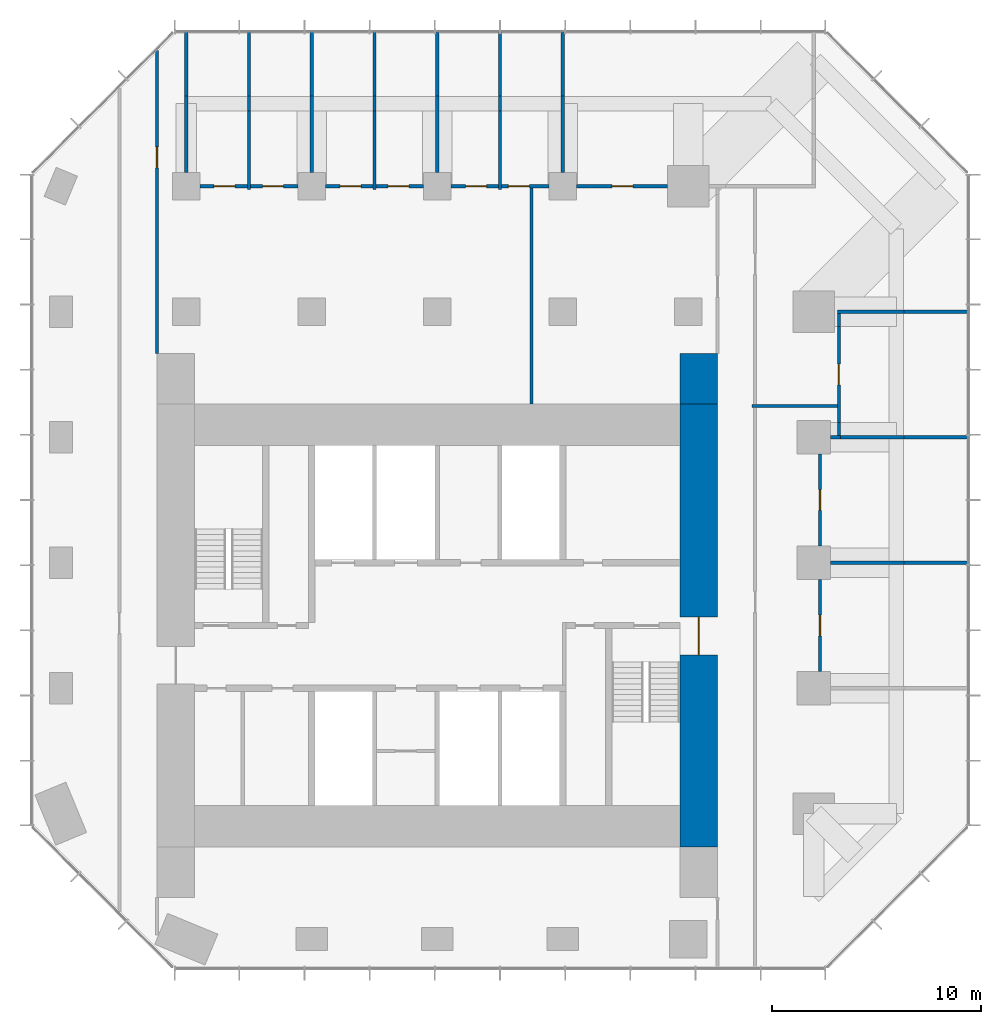
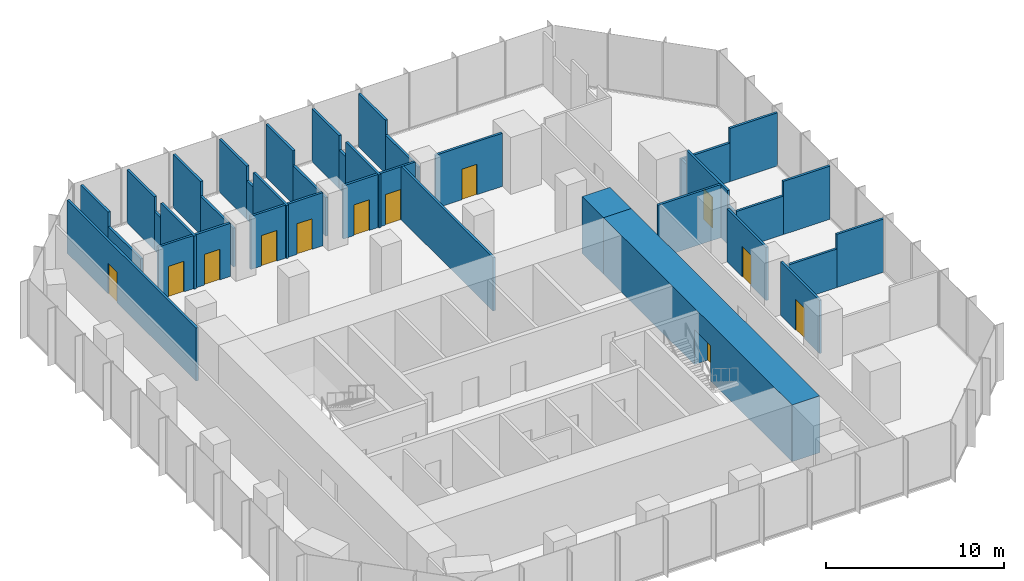
# One storey, part 9 of 11: 41 walls, 12 doors, 12 openings.
"""IFC4 building model written with IfcOpenShell, lengths in metres."""

from ifc_helpers import new_model, si_unit, direction, frame, frame_2d, origin, place, context, subcontext, project, spatial, rectangle, extrude, material, layer, layer_set, type_object, element, fill, save


model = new_model("IFC4")

# Units and contexts
model_context = context("Model", 3, precision=1e-05, world=origin(), true_north=direction((0.0, 1.0)))
body_context = subcontext(model_context, "Body", "Model", "MODEL_VIEW")
ifc_project = project(units=[si_unit("LENGTHUNIT", "METRE"), si_unit("AREAUNIT", "SQUARE_METRE"), si_unit("VOLUMEUNIT", "CUBIC_METRE"), si_unit("PLANEANGLEUNIT", "RADIAN"), si_unit("MASSUNIT", "GRAM", prefix="KILO")], contexts=[model_context])

# Site, building, storey
site_placement = place(None, origin())
site = spatial("IfcSite", under=ifc_project, at=site_placement, CompositionType="ELEMENT")
building_placement = place(site_placement, origin())
building = spatial("IfcBuilding", under=site, at=building_placement, Name="Highveld Stack Headquarters", CompositionType="ELEMENT")
storey_placement = place(building_placement, frame((0.0, 0.0, 173.300048828125)))
storey = spatial("IfcBuildingStorey", under=building, at=storey_placement, Name="L42", CompositionType="ELEMENT", Elevation=173.300048828125)

# Wall, opening, door
ifc_material_1 = material(Name="Concrete C60/75", Category="concrete")
ifc_layer_1 = layer(ifc_material_1, 1.800048828125)
ifc_layer_set_1 = layer_set([ifc_layer_1], Name="Concrete C60/75")
wall_type_1 = type_object("IfcWallType", Name="CORE WALL 1800 C60/75", PredefinedType="SHEAR", material=ifc_layer_set_1)
wall_1_placement = place(storey_placement, frame((18.5, -7.60009765625, 0.0), z_axis=(0.0, 0.0, 1.0), x_axis=(0.0, 1.0, 0.0)))
wall_1 = element("IfcWall", 1, at=wall_1_placement, inside=storey, type_object=wall_type_1, Name="Core wall E L42", PredefinedType="SHEAR", context=body_context, shape_type="SweptSolid", body=[
    extrude(rectangle(XDim=21.2001953125, YDim=1.800048828125, at=frame_2d((10.60009765625, 0.0))), origin(), (0.0, 0.0, 1.0), 3.89990234375),
])
opening_1_placement = place(wall_1_placement, frame((9.199951171875, 0.0, 0.0)))
opening_1 = element("IfcOpeningElement", 2, at=opening_1_placement, cuts=wall_1, Name="Opening L42-02", PredefinedType="OPENING", context=body_context, shape_type="SweptSolid", body=[
    extrude(rectangle(XDim=1.800048828125, YDim=2.39990234375, at=frame_2d((0.89990234375, 1.199951171875))), frame((0.0, 0.909912109375, 0.0), z_axis=(0.0, -1.0, 0.0), x_axis=(1.0, 0.0, 0.0)), (0.0, 0.0, 1.0), 1.820068359375),
])
ifc_material_2 = material(Name="Steel fire door", Category="steel")
door_type_1 = type_object("IfcDoorType", Name="LOBBY FIRE DOOR D4 1800x2400", OperationType="DOUBLE_DOOR_SINGLE_SWING", PredefinedType="DOOR", material=ifc_material_2)
door_1_placement = place(opening_1_placement, origin())
door_1 = element("IfcDoor", 3, at=door_1_placement, inside=storey, type_object=door_type_1, Name="Core east door L42", OperationType="DOUBLE_DOOR_SINGLE_SWING", OverallHeight=2.39990234375, OverallWidth=1.800048828125, PredefinedType="DOOR", context=body_context, shape_type="SweptSolid", body=[
    extrude(rectangle(XDim=1.800048828125, YDim=2.39990234375, at=frame_2d((0.89990234375, 1.199951171875))), frame((0.0, 0.02490234375, 0.0), z_axis=(0.0, -1.0, 0.0), x_axis=(1.0, 0.0, 0.0)), (0.0, 0.0, 1.0), 0.050048828125),
])
fill(opening_1, door_1)

# Wall
ifc_material_3 = material(Name="Concrete C60/75", Category="concrete")
ifc_layer_2 = layer(ifc_material_3, 1.800048828125)
ifc_layer_set_2 = layer_set([ifc_layer_2], Name="Concrete C60/75")
wall_type_2 = type_object("IfcWallType", Name="CORE WING WALL 1800 C60/75", PredefinedType="SHEAR", material=ifc_layer_set_2)
wall_2_placement = place(storey_placement, frame((18.5, 13.60009765625, 0.0), z_axis=(0.0, 0.0, 1.0), x_axis=(0.0, 1.0, 0.0)))
element("IfcWall", 4, at=wall_2_placement, inside=storey, type_object=wall_type_2, Name="Core wing wall EN L42", PredefinedType="SHEAR", context=body_context, shape_type="SweptSolid", body=[
    extrude(rectangle(XDim=2.39990234375, YDim=1.800048828125, at=frame_2d((1.199951171875, 0.0))), origin(), (0.0, 0.0, 1.0), 3.89990234375),
])

# Wall, opening, door
ifc_material_4 = material(Name="Laminated glass in aluminium frame", Category="aluminium")
ifc_layer_3 = layer(ifc_material_4, 0.14990234375)
ifc_layer_set_3 = layer_set([ifc_layer_3], Name="Laminated glass in aluminium frame")
wall_type_3 = type_object("IfcWallType", Name="GLAZED PARTITION 150", PredefinedType="PARTITIONING", material=ifc_layer_set_3)
wall_3_placement = place(storey_placement, frame((24.300048828125, 0.800048828125, 0.0), z_axis=(0.0, 0.0, 1.0), x_axis=(0.0, 1.0, 0.0)))
wall_3 = element("IfcWall", 5, at=wall_3_placement, inside=storey, type_object=wall_type_3, Name="Glazed partition Client meeting room L42", PredefinedType="PARTITIONING", context=body_context, shape_type="SweptSolid", body=[
    extrude(rectangle(XDim=4.39990234375, YDim=0.14990234375, at=frame_2d((2.199951171875, 0.0))), origin(), (0.0, 0.0, 1.0), 3.64990234375),
])
opening_2_placement = place(wall_3_placement, frame((1.699951171875, 0.0, 0.0)))
opening_2 = element("IfcOpeningElement", 6, at=opening_2_placement, cuts=wall_3, Name="Opening L42-13", PredefinedType="OPENING", context=body_context, shape_type="SweptSolid", body=[
    extrude(rectangle(XDim=1.0, YDim=2.10009765625, at=frame_2d((0.5, 1.050048828125))), frame((0.0, 0.0849609375, 0.0), z_axis=(0.0, -1.0, 0.0), x_axis=(1.0, 0.0, 0.0)), (0.0, 0.0, 1.0), 0.169921875),
])
ifc_material_5 = material(Name="Timber door, oiled ash", Category="wood")
door_type_2 = type_object("IfcDoorType", Name="ROOM DOOR D6 1000x2100", OperationType="SINGLE_SWING_LEFT", PredefinedType="DOOR", material=ifc_material_5)
door_2_placement = place(opening_2_placement, origin())
door_2 = element("IfcDoor", 7, at=door_2_placement, inside=storey, type_object=door_type_2, Name="Client meeting room door 1 L42", OperationType="SINGLE_SWING_RIGHT", OverallHeight=2.10009765625, OverallWidth=1.0, PredefinedType="DOOR", context=body_context, shape_type="SweptSolid", body=[
    extrude(rectangle(XDim=1.0, YDim=2.10009765625, at=frame_2d((0.5, 1.050048828125))), frame((0.0, 0.02490234375, 0.0), z_axis=(0.0, -1.0, 0.0), x_axis=(1.0, 0.0, 0.0)), (0.0, 0.0, 1.0), 0.050048828125),
])
fill(opening_2, door_2)

wall_4_placement = place(storey_placement, frame((24.300048828125, 6.800048828125, 0.0), z_axis=(0.0, 0.0, 1.0), x_axis=(0.0, 1.0, 0.0)))
wall_4 = element("IfcWall", 8, at=wall_4_placement, inside=storey, type_object=wall_type_3, Name="Glazed partition Client meeting room L42", PredefinedType="PARTITIONING", context=body_context, shape_type="SweptSolid", body=[
    extrude(rectangle(XDim=4.39990234375, YDim=0.14990234375, at=frame_2d((2.199951171875, 0.0))), origin(), (0.0, 0.0, 1.0), 3.64990234375),
])
opening_3_placement = place(wall_4_placement, frame((1.699951171875, 0.0, 0.0)))
opening_3 = element("IfcOpeningElement", 9, at=opening_3_placement, cuts=wall_4, Name="Opening L42-14", PredefinedType="OPENING", context=body_context, shape_type="SweptSolid", body=[
    extrude(rectangle(XDim=1.0, YDim=2.10009765625, at=frame_2d((0.5, 1.050048828125))), frame((0.0, 0.0849609375, 0.0), z_axis=(0.0, -1.0, 0.0), x_axis=(1.0, 0.0, 0.0)), (0.0, 0.0, 1.0), 0.169921875),
])
door_3_placement = place(opening_3_placement, origin())
door_3 = element("IfcDoor", 10, at=door_3_placement, inside=storey, type_object=door_type_2, Name="Client meeting room door 1 L42", OperationType="SINGLE_SWING_LEFT", OverallHeight=2.10009765625, OverallWidth=1.0, PredefinedType="DOOR", context=body_context, shape_type="SweptSolid", body=[
    extrude(rectangle(XDim=1.0, YDim=2.10009765625, at=frame_2d((0.5, 1.050048828125))), frame((0.0, 0.02490234375, 0.0), z_axis=(0.0, -1.0, 0.0), x_axis=(1.0, 0.0, 0.0)), (0.0, 0.0, 1.0), 0.050048828125),
])
fill(opening_3, door_3)

# Walls
ifc_material_6 = material(Name="Gypsum plasterboard on steel studs", Category="steel")
ifc_layer_4 = layer(ifc_material_6, 0.14990234375)
ifc_layer_set_4 = layer_set([ifc_layer_4], Name="Gypsum plasterboard on steel studs")
wall_type_4 = type_object("IfcWallType", Name="PARTITION 150 PLASTERBOARD", PredefinedType="PARTITIONING", material=ifc_layer_set_4)
wall_5_placement = place(storey_placement, frame((24.800048828125, 6.0, 0.0), z_axis=(0.0, 0.0, 1.0), x_axis=(1.0, 0.0, 0.0)))
element("IfcWall", 11, at=wall_5_placement, inside=storey, type_object=wall_type_4, Name="Partition Client meeting room L42", PredefinedType="PARTITIONING", context=body_context, shape_type="SweptSolid", body=[
    extrude(rectangle(XDim=3.510009765625, YDim=0.14990234375, at=frame_2d((1.7548828125, 0.0))), origin(), (0.0, 0.0, 1.0), 2.64990234375),
])
wall_6_placement = place(storey_placement, frame((28.31005859375, 6.0, 0.0), z_axis=(0.0, 0.0, 1.0), x_axis=(1.0, 0.0, 0.0)))
element("IfcWall", 12, at=wall_6_placement, inside=storey, type_object=wall_type_4, Name="Partition Client meeting room L42", PredefinedType="PARTITIONING", context=body_context, shape_type="SweptSolid", body=[
    extrude(rectangle(XDim=3.0400390625, YDim=0.14990234375, at=frame_2d((1.52001953125, 0.0))), origin(), (0.0, 0.0, 1.0), 3.64990234375),
])
wall_7_placement = place(storey_placement, frame((24.800048828125, 12.0, 0.0), z_axis=(0.0, 0.0, 1.0), x_axis=(1.0, 0.0, 0.0)))
element("IfcWall", 13, at=wall_7_placement, inside=storey, type_object=wall_type_4, Name="Partition Client meeting room L42", PredefinedType="PARTITIONING", context=body_context, shape_type="SweptSolid", body=[
    extrude(rectangle(XDim=0.474853515625, YDim=0.14990234375, at=frame_2d((0.2373046875, 0.0))), origin(), (0.0, 0.0, 1.0), 2.64990234375),
])
wall_8_placement = place(storey_placement, frame((25.199951171875, 12.0, 0.0), z_axis=(0.0, 0.0, 1.0), x_axis=(1.0, 0.0, 0.0)))
element("IfcWall", 14, at=wall_8_placement, inside=storey, type_object=wall_type_4, Name="Partition Client meeting room / Tea kitchen L42", PredefinedType="PARTITIONING", context=body_context, shape_type="SweptSolid", body=[
    extrude(rectangle(XDim=3.110107421875, YDim=0.14990234375, at=frame_2d((1.55517578125, 0.0))), origin(), (0.0, 0.0, 1.0), 2.64990234375),
])
wall_9_placement = place(storey_placement, frame((28.31005859375, 12.0, 0.0), z_axis=(0.0, 0.0, 1.0), x_axis=(1.0, 0.0, 0.0)))
element("IfcWall", 15, at=wall_9_placement, inside=storey, type_object=wall_type_4, Name="Partition Client meeting room / Tea kitchen L42", PredefinedType="PARTITIONING", context=body_context, shape_type="SweptSolid", body=[
    extrude(rectangle(XDim=3.0400390625, YDim=0.14990234375, at=frame_2d((1.52001953125, 0.0))), origin(), (0.0, 0.0, 1.0), 3.64990234375),
])
wall_10_placement = place(storey_placement, frame((25.125, 18.0, 0.0), z_axis=(0.0, 0.0, 1.0), x_axis=(1.0, 0.0, 0.0)))
element("IfcWall", 16, at=wall_10_placement, inside=storey, type_object=wall_type_4, Name="Partition Tea kitchen L42", PredefinedType="PARTITIONING", context=body_context, shape_type="SweptSolid", body=[
    extrude(rectangle(XDim=3.18505859375, YDim=0.14990234375, at=frame_2d((1.592529296875, 0.0))), origin(), (0.0, 0.0, 1.0), 2.64990234375),
])
wall_11_placement = place(storey_placement, frame((28.31005859375, 18.0, 0.0), z_axis=(0.0, 0.0, 1.0), x_axis=(1.0, 0.0, 0.0)))
element("IfcWall", 17, at=wall_11_placement, inside=storey, type_object=wall_type_4, Name="Partition Tea kitchen L42", PredefinedType="PARTITIONING", context=body_context, shape_type="SweptSolid", body=[
    extrude(rectangle(XDim=3.08984375, YDim=0.14990234375, at=frame_2d((1.544921875, 0.0))), origin(), (0.0, 0.0, 1.0), 3.64990234375),
])

# Wall, opening, door
wall_12_placement = place(storey_placement, frame((-5.35009765625, 24.0, 0.0), z_axis=(0.0, 0.0, 1.0), x_axis=(1.0, 0.0, 0.0)))
wall_12 = element("IfcWall", 18, at=wall_12_placement, inside=storey, type_object=wall_type_4, Name="Partition Office L42", PredefinedType="PARTITIONING", context=body_context, shape_type="SweptSolid", body=[
    extrude(rectangle(XDim=2.275146484375, YDim=0.14990234375, at=frame_2d((1.1376953125, 0.0))), origin(), (0.0, 0.0, 1.0), 3.64990234375),
])
opening_4_placement = place(wall_12_placement, frame((0.675048828125, 0.0, 0.0)))
opening_4 = element("IfcOpeningElement", 19, at=opening_4_placement, cuts=wall_12, Name="Opening L42-16", PredefinedType="OPENING", context=body_context, shape_type="SweptSolid", body=[
    extrude(rectangle(XDim=1.0, YDim=2.10009765625, at=frame_2d((0.5, 1.050048828125))), frame((0.0, 0.0849609375, 0.0), z_axis=(0.0, -1.0, 0.0), x_axis=(1.0, 0.0, 0.0)), (0.0, 0.0, 1.0), 0.169921875),
])
door_4_placement = place(opening_4_placement, origin())
door_4 = element("IfcDoor", 20, at=door_4_placement, inside=storey, type_object=door_type_2, Name="Office door 1 L42", OperationType="SINGLE_SWING_RIGHT", OverallHeight=2.10009765625, OverallWidth=1.0, PredefinedType="DOOR", context=body_context, shape_type="SweptSolid", body=[
    extrude(rectangle(XDim=1.0, YDim=2.10009765625, at=frame_2d((0.5, 1.050048828125))), frame((0.0, 0.02490234375, 0.0), z_axis=(0.0, -1.0, 0.0), x_axis=(1.0, 0.0, 0.0)), (0.0, 0.0, 1.0), 0.050048828125),
])
fill(opening_4, door_4)

wall_13_placement = place(storey_placement, frame((-2.925048828125, 24.0, 0.0), z_axis=(0.0, 0.0, 1.0), x_axis=(1.0, 0.0, 0.0)))
wall_13 = element("IfcWall", 21, at=wall_13_placement, inside=storey, type_object=wall_type_4, Name="Partition Office L42", PredefinedType="PARTITIONING", context=body_context, shape_type="SweptSolid", body=[
    extrude(rectangle(XDim=2.26513671875, YDim=0.14990234375, at=frame_2d((1.132568359375, 0.0))), origin(), (0.0, 0.0, 1.0), 3.64990234375),
])
opening_5_placement = place(wall_13_placement, frame((0.570068359375, 0.0, 0.0)))
opening_5 = element("IfcOpeningElement", 22, at=opening_5_placement, cuts=wall_13, Name="Opening L42-17", PredefinedType="OPENING", context=body_context, shape_type="SweptSolid", body=[
    extrude(rectangle(XDim=1.0, YDim=2.10009765625, at=frame_2d((0.5, 1.050048828125))), frame((0.0, 0.0849609375, 0.0), z_axis=(0.0, -1.0, 0.0), x_axis=(1.0, 0.0, 0.0)), (0.0, 0.0, 1.0), 0.169921875),
])
door_5_placement = place(opening_5_placement, origin())
door_5 = element("IfcDoor", 23, at=door_5_placement, inside=storey, type_object=door_type_2, Name="Office door 1 L42", OperationType="SINGLE_SWING_LEFT", OverallHeight=2.10009765625, OverallWidth=1.0, PredefinedType="DOOR", context=body_context, shape_type="SweptSolid", body=[
    extrude(rectangle(XDim=1.0, YDim=2.10009765625, at=frame_2d((0.5, 1.050048828125))), frame((0.0, 0.02490234375, 0.0), z_axis=(0.0, -1.0, 0.0), x_axis=(1.0, 0.0, 0.0)), (0.0, 0.0, 1.0), 0.050048828125),
])
fill(opening_5, door_5)

wall_14_placement = place(storey_placement, frame((0.659912109375, 24.0, 0.0), z_axis=(0.0, 0.0, 1.0), x_axis=(1.0, 0.0, 0.0)))
wall_14 = element("IfcWall", 24, at=wall_14_placement, inside=storey, type_object=wall_type_4, Name="Partition Office L42", PredefinedType="PARTITIONING", context=body_context, shape_type="SweptSolid", body=[
    extrude(rectangle(XDim=2.26513671875, YDim=0.14990234375, at=frame_2d((1.132568359375, 0.0))), origin(), (0.0, 0.0, 1.0), 3.64990234375),
])
opening_6_placement = place(wall_14_placement, frame((0.695068359375, 0.0, 0.0)))
opening_6 = element("IfcOpeningElement", 25, at=opening_6_placement, cuts=wall_14, Name="Opening L42-18", PredefinedType="OPENING", context=body_context, shape_type="SweptSolid", body=[
    extrude(rectangle(XDim=1.0, YDim=2.10009765625, at=frame_2d((0.5, 1.050048828125))), frame((0.0, 0.0849609375, 0.0), z_axis=(0.0, -1.0, 0.0), x_axis=(1.0, 0.0, 0.0)), (0.0, 0.0, 1.0), 0.169921875),
])
door_6_placement = place(opening_6_placement, origin())
door_6 = element("IfcDoor", 26, at=door_6_placement, inside=storey, type_object=door_type_2, Name="Office door 1 L42", OperationType="SINGLE_SWING_RIGHT", OverallHeight=2.10009765625, OverallWidth=1.0, PredefinedType="DOOR", context=body_context, shape_type="SweptSolid", body=[
    extrude(rectangle(XDim=1.0, YDim=2.10009765625, at=frame_2d((0.5, 1.050048828125))), frame((0.0, 0.02490234375, 0.0), z_axis=(0.0, -1.0, 0.0), x_axis=(1.0, 0.0, 0.0)), (0.0, 0.0, 1.0), 0.050048828125),
])
fill(opening_6, door_6)

wall_15_placement = place(storey_placement, frame((3.074951171875, 24.0, 0.0), z_axis=(0.0, 0.0, 1.0), x_axis=(1.0, 0.0, 0.0)))
wall_15 = element("IfcWall", 27, at=wall_15_placement, inside=storey, type_object=wall_type_4, Name="Partition Office L42", PredefinedType="PARTITIONING", context=body_context, shape_type="SweptSolid", body=[
    extrude(rectangle(XDim=2.26513671875, YDim=0.14990234375, at=frame_2d((1.132568359375, 0.0))), origin(), (0.0, 0.0, 1.0), 3.64990234375),
])
opening_7_placement = place(wall_15_placement, frame((0.570068359375, 0.0, 0.0)))
opening_7 = element("IfcOpeningElement", 28, at=opening_7_placement, cuts=wall_15, Name="Opening L42-19", PredefinedType="OPENING", context=body_context, shape_type="SweptSolid", body=[
    extrude(rectangle(XDim=1.0, YDim=2.10009765625, at=frame_2d((0.5, 1.050048828125))), frame((0.0, 0.0849609375, 0.0), z_axis=(0.0, -1.0, 0.0), x_axis=(1.0, 0.0, 0.0)), (0.0, 0.0, 1.0), 0.169921875),
])
door_7_placement = place(opening_7_placement, origin())
door_7 = element("IfcDoor", 29, at=door_7_placement, inside=storey, type_object=door_type_2, Name="Office door 1 L42", OperationType="SINGLE_SWING_LEFT", OverallHeight=2.10009765625, OverallWidth=1.0, PredefinedType="DOOR", context=body_context, shape_type="SweptSolid", body=[
    extrude(rectangle(XDim=1.0, YDim=2.10009765625, at=frame_2d((0.5, 1.050048828125))), frame((0.0, 0.02490234375, 0.0), z_axis=(0.0, -1.0, 0.0), x_axis=(1.0, 0.0, 0.0)), (0.0, 0.0, 1.0), 0.050048828125),
])
fill(opening_7, door_7)

wall_16_placement = place(storey_placement, frame((6.659912109375, 24.0, 0.0), z_axis=(0.0, 0.0, 1.0), x_axis=(1.0, 0.0, 0.0)))
wall_16 = element("IfcWall", 30, at=wall_16_placement, inside=storey, type_object=wall_type_4, Name="Partition Office L42", PredefinedType="PARTITIONING", context=body_context, shape_type="SweptSolid", body=[
    extrude(rectangle(XDim=2.26513671875, YDim=0.14990234375, at=frame_2d((1.132568359375, 0.0))), origin(), (0.0, 0.0, 1.0), 3.64990234375),
])
opening_8_placement = place(wall_16_placement, frame((0.695068359375, 0.0, 0.0)))
opening_8 = element("IfcOpeningElement", 31, at=opening_8_placement, cuts=wall_16, Name="Opening L42-20", PredefinedType="OPENING", context=body_context, shape_type="SweptSolid", body=[
    extrude(rectangle(XDim=1.0, YDim=2.10009765625, at=frame_2d((0.5, 1.050048828125))), frame((0.0, 0.0849609375, 0.0), z_axis=(0.0, -1.0, 0.0), x_axis=(1.0, 0.0, 0.0)), (0.0, 0.0, 1.0), 0.169921875),
])
door_8_placement = place(opening_8_placement, origin())
door_8 = element("IfcDoor", 32, at=door_8_placement, inside=storey, type_object=door_type_2, Name="Office door 1 L42", OperationType="SINGLE_SWING_RIGHT", OverallHeight=2.10009765625, OverallWidth=1.0, PredefinedType="DOOR", context=body_context, shape_type="SweptSolid", body=[
    extrude(rectangle(XDim=1.0, YDim=2.10009765625, at=frame_2d((0.5, 1.050048828125))), frame((0.0, 0.02490234375, 0.0), z_axis=(0.0, -1.0, 0.0), x_axis=(1.0, 0.0, 0.0)), (0.0, 0.0, 1.0), 0.050048828125),
])
fill(opening_8, door_8)

wall_17_placement = place(storey_placement, frame((9.074951171875, 24.0, 0.0), z_axis=(0.0, 0.0, 1.0), x_axis=(1.0, 0.0, 0.0)))
wall_17 = element("IfcWall", 33, at=wall_17_placement, inside=storey, type_object=wall_type_4, Name="Partition Office L42", PredefinedType="PARTITIONING", context=body_context, shape_type="SweptSolid", body=[
    extrude(rectangle(XDim=2.26513671875, YDim=0.14990234375, at=frame_2d((1.132568359375, 0.0))), origin(), (0.0, 0.0, 1.0), 3.64990234375),
])
opening_9_placement = place(wall_17_placement, frame((0.324951171875, 0.0, 0.0)))
opening_9 = element("IfcOpeningElement", 34, at=opening_9_placement, cuts=wall_17, Name="Opening L42-21", PredefinedType="OPENING", context=body_context, shape_type="SweptSolid", body=[
    extrude(rectangle(XDim=1.0, YDim=2.10009765625, at=frame_2d((0.5, 1.050048828125))), frame((0.0, 0.0849609375, 0.0), z_axis=(0.0, -1.0, 0.0), x_axis=(1.0, 0.0, 0.0)), (0.0, 0.0, 1.0), 0.169921875),
])
door_9_placement = place(opening_9_placement, origin())
door_9 = element("IfcDoor", 35, at=door_9_placement, inside=storey, type_object=door_type_2, Name="Office door 1 L42", OperationType="SINGLE_SWING_LEFT", OverallHeight=2.10009765625, OverallWidth=1.0, PredefinedType="DOOR", context=body_context, shape_type="SweptSolid", body=[
    extrude(rectangle(XDim=1.0, YDim=2.10009765625, at=frame_2d((0.5, 1.050048828125))), frame((0.0, 0.02490234375, 0.0), z_axis=(0.0, -1.0, 0.0), x_axis=(1.0, 0.0, 0.0)), (0.0, 0.0, 1.0), 0.050048828125),
])
fill(opening_9, door_9)

wall_18_placement = place(storey_placement, frame((12.659912109375, 24.0, 0.0), z_axis=(0.0, 0.0, 1.0), x_axis=(1.0, 0.0, 0.0)))
wall_18 = element("IfcWall", 36, at=wall_18_placement, inside=storey, type_object=wall_type_4, Name="Partition Team office L42", PredefinedType="PARTITIONING", context=body_context, shape_type="SweptSolid", body=[
    extrude(rectangle(XDim=4.340087890625, YDim=0.14990234375, at=frame_2d((2.169921875, 0.0))), origin(), (0.0, 0.0, 1.0), 3.64990234375),
])
opening_10_placement = place(wall_18_placement, frame((1.695068359375, 0.0, 0.0)))
opening_10 = element("IfcOpeningElement", 37, at=opening_10_placement, cuts=wall_18, Name="Opening L42-22", PredefinedType="OPENING", context=body_context, shape_type="SweptSolid", body=[
    extrude(rectangle(XDim=1.0, YDim=2.10009765625, at=frame_2d((0.5, 1.050048828125))), frame((0.0, 0.0849609375, 0.0), z_axis=(0.0, -1.0, 0.0), x_axis=(1.0, 0.0, 0.0)), (0.0, 0.0, 1.0), 0.169921875),
])
door_10_placement = place(opening_10_placement, origin())
door_10 = element("IfcDoor", 38, at=door_10_placement, inside=storey, type_object=door_type_2, Name="Team office door 1 L42", OperationType="SINGLE_SWING_RIGHT", OverallHeight=2.10009765625, OverallWidth=1.0, PredefinedType="DOOR", context=body_context, shape_type="SweptSolid", body=[
    extrude(rectangle(XDim=1.0, YDim=2.10009765625, at=frame_2d((0.5, 1.050048828125))), frame((0.0, 0.02490234375, 0.0), z_axis=(0.0, -1.0, 0.0), x_axis=(1.0, 0.0, 0.0)), (0.0, 0.0, 1.0), 0.050048828125),
])
fill(opening_10, door_10)

# Walls
wall_19_placement = place(storey_placement, frame((-6.0, 24.64990234375, 0.0), z_axis=(0.0, 0.0, 1.0), x_axis=(0.0, 1.0, 0.0)))
element("IfcWall", 39, at=wall_19_placement, inside=storey, type_object=wall_type_4, Name="Partition Office L42", PredefinedType="PARTITIONING", context=body_context, shape_type="SweptSolid", body=[
    extrude(rectangle(XDim=3.66015625, YDim=0.14990234375, at=frame_2d((1.830078125, 0.0))), origin(), (0.0, 0.0, 1.0), 2.64990234375),
])
wall_20_placement = place(storey_placement, frame((-6.0, 28.31005859375, 0.0), z_axis=(0.0, 0.0, 1.0), x_axis=(0.0, 1.0, 0.0)))
element("IfcWall", 40, at=wall_20_placement, inside=storey, type_object=wall_type_4, Name="Partition Office L42", PredefinedType="PARTITIONING", context=body_context, shape_type="SweptSolid", body=[
    extrude(rectangle(XDim=3.08984375, YDim=0.14990234375, at=frame_2d((1.544921875, 0.0))), origin(), (0.0, 0.0, 1.0), 3.64990234375),
])
wall_21_placement = place(storey_placement, frame((-3.0, 23.85009765625, 0.0), z_axis=(0.0, 0.0, 1.0), x_axis=(0.0, 1.0, 0.0)))
element("IfcWall", 41, at=wall_21_placement, inside=storey, type_object=wall_type_4, Name="Partition Office L42", PredefinedType="PARTITIONING", context=body_context, shape_type="SweptSolid", body=[
    extrude(rectangle(XDim=3.739990234375, YDim=0.14990234375, at=frame_2d((1.8701171875, 0.0))), origin(), (0.0, 0.0, 1.0), 3.64990234375),
])
wall_22_placement = place(storey_placement, frame((-3.0, 27.590087890625, 0.0), z_axis=(0.0, 0.0, 1.0), x_axis=(0.0, 1.0, 0.0)))
element("IfcWall", 42, at=wall_22_placement, inside=storey, type_object=wall_type_4, Name="Partition Office L42", PredefinedType="PARTITIONING", context=body_context, shape_type="SweptSolid", body=[
    extrude(rectangle(XDim=0.719970703125, YDim=0.14990234375, at=frame_2d((0.35986328125, 0.0))), origin(), (0.0, 0.0, 1.0), 2.64990234375),
])
wall_23_placement = place(storey_placement, frame((-3.0, 28.31005859375, 0.0), z_axis=(0.0, 0.0, 1.0), x_axis=(0.0, 1.0, 0.0)))
element("IfcWall", 43, at=wall_23_placement, inside=storey, type_object=wall_type_4, Name="Partition Office L42", PredefinedType="PARTITIONING", context=body_context, shape_type="SweptSolid", body=[
    extrude(rectangle(XDim=3.08984375, YDim=0.14990234375, at=frame_2d((1.544921875, 0.0))), origin(), (0.0, 0.0, 1.0), 3.64990234375),
])
wall_24_placement = place(storey_placement, frame((0.0, 24.64990234375, 0.0), z_axis=(0.0, 0.0, 1.0), x_axis=(0.0, 1.0, 0.0)))
element("IfcWall", 44, at=wall_24_placement, inside=storey, type_object=wall_type_4, Name="Partition Office L42", PredefinedType="PARTITIONING", context=body_context, shape_type="SweptSolid", body=[
    extrude(rectangle(XDim=3.66015625, YDim=0.14990234375, at=frame_2d((1.830078125, 0.0))), origin(), (0.0, 0.0, 1.0), 2.64990234375),
])
wall_25_placement = place(storey_placement, frame((0.0, 28.31005859375, 0.0), z_axis=(0.0, 0.0, 1.0), x_axis=(0.0, 1.0, 0.0)))
element("IfcWall", 45, at=wall_25_placement, inside=storey, type_object=wall_type_4, Name="Partition Office L42", PredefinedType="PARTITIONING", context=body_context, shape_type="SweptSolid", body=[
    extrude(rectangle(XDim=3.08984375, YDim=0.14990234375, at=frame_2d((1.544921875, 0.0))), origin(), (0.0, 0.0, 1.0), 3.64990234375),
])
wall_26_placement = place(storey_placement, frame((3.0, 23.85009765625, 0.0), z_axis=(0.0, 0.0, 1.0), x_axis=(0.0, 1.0, 0.0)))
element("IfcWall", 46, at=wall_26_placement, inside=storey, type_object=wall_type_4, Name="Partition Office L42", PredefinedType="PARTITIONING", context=body_context, shape_type="SweptSolid", body=[
    extrude(rectangle(XDim=3.739990234375, YDim=0.14990234375, at=frame_2d((1.8701171875, 0.0))), origin(), (0.0, 0.0, 1.0), 3.64990234375),
])
wall_27_placement = place(storey_placement, frame((3.0, 27.590087890625, 0.0), z_axis=(0.0, 0.0, 1.0), x_axis=(0.0, 1.0, 0.0)))
element("IfcWall", 47, at=wall_27_placement, inside=storey, type_object=wall_type_4, Name="Partition Office L42", PredefinedType="PARTITIONING", context=body_context, shape_type="SweptSolid", body=[
    extrude(rectangle(XDim=0.719970703125, YDim=0.14990234375, at=frame_2d((0.35986328125, 0.0))), origin(), (0.0, 0.0, 1.0), 2.64990234375),
])
wall_28_placement = place(storey_placement, frame((3.0, 28.31005859375, 0.0), z_axis=(0.0, 0.0, 1.0), x_axis=(0.0, 1.0, 0.0)))
element("IfcWall", 48, at=wall_28_placement, inside=storey, type_object=wall_type_4, Name="Partition Office L42", PredefinedType="PARTITIONING", context=body_context, shape_type="SweptSolid", body=[
    extrude(rectangle(XDim=3.08984375, YDim=0.14990234375, at=frame_2d((1.544921875, 0.0))), origin(), (0.0, 0.0, 1.0), 3.64990234375),
])
wall_29_placement = place(storey_placement, frame((6.0, 24.64990234375, 0.0), z_axis=(0.0, 0.0, 1.0), x_axis=(0.0, 1.0, 0.0)))
element("IfcWall", 49, at=wall_29_placement, inside=storey, type_object=wall_type_4, Name="Partition Office L42", PredefinedType="PARTITIONING", context=body_context, shape_type="SweptSolid", body=[
    extrude(rectangle(XDim=3.66015625, YDim=0.14990234375, at=frame_2d((1.830078125, 0.0))), origin(), (0.0, 0.0, 1.0), 2.64990234375),
])
wall_30_placement = place(storey_placement, frame((6.0, 28.31005859375, 0.0), z_axis=(0.0, 0.0, 1.0), x_axis=(0.0, 1.0, 0.0)))
element("IfcWall", 50, at=wall_30_placement, inside=storey, type_object=wall_type_4, Name="Partition Office L42", PredefinedType="PARTITIONING", context=body_context, shape_type="SweptSolid", body=[
    extrude(rectangle(XDim=3.0400390625, YDim=0.14990234375, at=frame_2d((1.52001953125, 0.0))), origin(), (0.0, 0.0, 1.0), 3.64990234375),
])
wall_31_placement = place(storey_placement, frame((9.0, 23.85009765625, 0.0), z_axis=(0.0, 0.0, 1.0), x_axis=(0.0, 1.0, 0.0)))
element("IfcWall", 51, at=wall_31_placement, inside=storey, type_object=wall_type_4, Name="Partition Office L42", PredefinedType="PARTITIONING", context=body_context, shape_type="SweptSolid", body=[
    extrude(rectangle(XDim=3.739990234375, YDim=0.14990234375, at=frame_2d((1.8701171875, 0.0))), origin(), (0.0, 0.0, 1.0), 3.64990234375),
])
wall_32_placement = place(storey_placement, frame((9.0, 27.590087890625, 0.0), z_axis=(0.0, 0.0, 1.0), x_axis=(0.0, 1.0, 0.0)))
element("IfcWall", 52, at=wall_32_placement, inside=storey, type_object=wall_type_4, Name="Partition Office L42", PredefinedType="PARTITIONING", context=body_context, shape_type="SweptSolid", body=[
    extrude(rectangle(XDim=0.719970703125, YDim=0.14990234375, at=frame_2d((0.35986328125, 0.0))), origin(), (0.0, 0.0, 1.0), 2.64990234375),
])
wall_33_placement = place(storey_placement, frame((9.0, 28.31005859375, 0.0), z_axis=(0.0, 0.0, 1.0), x_axis=(0.0, 1.0, 0.0)))
element("IfcWall", 53, at=wall_33_placement, inside=storey, type_object=wall_type_4, Name="Partition Office L42", PredefinedType="PARTITIONING", context=body_context, shape_type="SweptSolid", body=[
    extrude(rectangle(XDim=3.0400390625, YDim=0.14990234375, at=frame_2d((1.52001953125, 0.0))), origin(), (0.0, 0.0, 1.0), 3.64990234375),
])
wall_34_placement = place(storey_placement, frame((12.0, 24.64990234375, 0.0), z_axis=(0.0, 0.0, 1.0), x_axis=(0.0, 1.0, 0.0)))
element("IfcWall", 54, at=wall_34_placement, inside=storey, type_object=wall_type_4, Name="Partition Office / Team office L42", PredefinedType="PARTITIONING", context=body_context, shape_type="SweptSolid", body=[
    extrude(rectangle(XDim=3.66015625, YDim=0.14990234375, at=frame_2d((1.830078125, 0.0))), origin(), (0.0, 0.0, 1.0), 2.64990234375),
])
wall_35_placement = place(storey_placement, frame((12.0, 28.31005859375, 0.0), z_axis=(0.0, 0.0, 1.0), x_axis=(0.0, 1.0, 0.0)))
element("IfcWall", 55, at=wall_35_placement, inside=storey, type_object=wall_type_4, Name="Partition Office / Team office L42", PredefinedType="PARTITIONING", context=body_context, shape_type="SweptSolid", body=[
    extrude(rectangle(XDim=3.0400390625, YDim=0.14990234375, at=frame_2d((1.52001953125, 0.0))), origin(), (0.0, 0.0, 1.0), 3.64990234375),
])
wall_36_placement = place(storey_placement, frame((25.199951171875, 12.074951171875, 0.0), z_axis=(0.0, 0.0, 1.0), x_axis=(0.0, 1.0, 0.0)))
element("IfcWall", 56, at=wall_36_placement, inside=storey, type_object=wall_type_4, Name="Partition Tea kitchen L42", PredefinedType="PARTITIONING", context=body_context, shape_type="SweptSolid", body=[
    extrude(rectangle(XDim=0.635009765625, YDim=0.14990234375, at=frame_2d((0.3173828125, 0.0))), origin(), (0.0, 0.0, 1.0), 2.64990234375),
])

# Wall, opening, door
wall_37_placement = place(storey_placement, frame((25.199951171875, 12.7099609375, 0.0), z_axis=(0.0, 0.0, 1.0), x_axis=(0.0, 1.0, 0.0)))
wall_37 = element("IfcWall", 57, at=wall_37_placement, inside=storey, type_object=wall_type_4, Name="Partition Tea kitchen L42", PredefinedType="PARTITIONING", context=body_context, shape_type="SweptSolid", body=[
    extrude(rectangle(XDim=4.580078125, YDim=0.14990234375, at=frame_2d((2.2900390625, 0.0))), origin(), (0.0, 0.0, 1.0), 3.64990234375),
])
opening_11_placement = place(wall_37_placement, frame((1.7900390625, 0.0, 0.0)))
opening_11 = element("IfcOpeningElement", 58, at=opening_11_placement, cuts=wall_37, Name="Opening L42-15", PredefinedType="OPENING", context=body_context, shape_type="SweptSolid", body=[
    extrude(rectangle(XDim=1.0, YDim=2.10009765625, at=frame_2d((0.5, 1.050048828125))), frame((0.0, 0.0849609375, 0.0), z_axis=(0.0, -1.0, 0.0), x_axis=(1.0, 0.0, 0.0)), (0.0, 0.0, 1.0), 0.169921875),
])
door_11_placement = place(opening_11_placement, origin())
door_11 = element("IfcDoor", 59, at=door_11_placement, inside=storey, type_object=door_type_2, Name="Tea kitchen door 1 L42", OperationType="SINGLE_SWING_RIGHT", OverallHeight=2.10009765625, OverallWidth=1.0, PredefinedType="DOOR", context=body_context, shape_type="SweptSolid", body=[
    extrude(rectangle(XDim=1.0, YDim=2.10009765625, at=frame_2d((0.5, 1.050048828125))), frame((0.0, 0.02490234375, 0.0), z_axis=(0.0, -1.0, 0.0), x_axis=(1.0, 0.0, 0.0)), (0.0, 0.0, 1.0), 0.050048828125),
])
fill(opening_11, door_11)

# Wall
wall_38_placement = place(storey_placement, frame((25.199951171875, 17.2900390625, 0.0), z_axis=(0.0, 0.0, 1.0), x_axis=(0.0, 1.0, 0.0)))
element("IfcWall", 60, at=wall_38_placement, inside=storey, type_object=wall_type_4, Name="Partition Tea kitchen L42", PredefinedType="PARTITIONING", context=body_context, shape_type="SweptSolid", body=[
    extrude(rectangle(XDim=0.635009765625, YDim=0.14990234375, at=frame_2d((0.3173828125, 0.0))), origin(), (0.0, 0.0, 1.0), 2.64990234375),
])

# Wall, opening, door
wall_39_placement = place(storey_placement, frame((-7.39990234375, 16.0, 0.0), z_axis=(0.0, 0.0, 1.0), x_axis=(0.0, 1.0, 0.0)))
wall_39 = element("IfcWall", 61, at=wall_39_placement, inside=storey, type_object=wall_type_4, Name="Partition office neighbourhood L42", PredefinedType="PARTITIONING", context=body_context, shape_type="SweptSolid", body=[
    extrude(rectangle(XDim=14.489013671875, YDim=0.14990234375, at=frame_2d((7.24462890625, 0.0))), origin(), (0.0, 0.0, 1.0), 3.64990234375),
])
opening_12_placement = place(wall_39_placement, frame((8.885009765625, 0.0, 0.0)))
opening_12 = element("IfcOpeningElement", 62, at=opening_12_placement, cuts=wall_39, Name="Opening L42-25", PredefinedType="OPENING", context=body_context, shape_type="SweptSolid", body=[
    extrude(rectangle(XDim=1.0, YDim=2.10009765625, at=frame_2d((0.5, 1.050048828125))), frame((0.0, 0.0849609375, 0.0), z_axis=(0.0, -1.0, 0.0), x_axis=(1.0, 0.0, 0.0)), (0.0, 0.0, 1.0), 0.169921875),
])
door_12_placement = place(opening_12_placement, origin())
door_12 = element("IfcDoor", 63, at=door_12_placement, inside=storey, type_object=door_type_2, Name="Office neighbourhood door L42", OperationType="SINGLE_SWING_RIGHT", OverallHeight=2.10009765625, OverallWidth=1.0, PredefinedType="DOOR", context=body_context, shape_type="SweptSolid", body=[
    extrude(rectangle(XDim=1.0, YDim=2.10009765625, at=frame_2d((0.5, 1.050048828125))), frame((0.0, 0.02490234375, 0.0), z_axis=(0.0, -1.0, 0.0), x_axis=(1.0, 0.0, 0.0)), (0.0, 0.0, 1.0), 0.050048828125),
])
fill(opening_12, door_12)

# Walls
wall_40_placement = place(storey_placement, frame((10.5, 13.60009765625, 0.0), z_axis=(0.0, 0.0, 1.0), x_axis=(0.0, 1.0, 0.0)))
element("IfcWall", 64, at=wall_40_placement, inside=storey, type_object=wall_type_4, Name="Partition office neighbourhood L42", PredefinedType="PARTITIONING", context=body_context, shape_type="SweptSolid", body=[
    extrude(rectangle(XDim=10.324951171875, YDim=0.14990234375, at=frame_2d((5.16259765625, 0.0))), origin(), (0.0, 0.0, 1.0), 3.64990234375),
])
wall_41_placement = place(storey_placement, frame((21.050048828125, 13.5, 0.0), z_axis=(0.0, 0.0, 1.0), x_axis=(1.0, 0.0, 0.0)))
element("IfcWall", 65, at=wall_41_placement, inside=storey, type_object=wall_type_4, Name="Partition office neighbourhood L42", PredefinedType="PARTITIONING", context=body_context, shape_type="SweptSolid", body=[
    extrude(rectangle(XDim=4.074951171875, YDim=0.14990234375, at=frame_2d((2.03759765625, 0.0))), origin(), (0.0, 0.0, 1.0), 3.64990234375),
])

save(model, "model.ifc")
